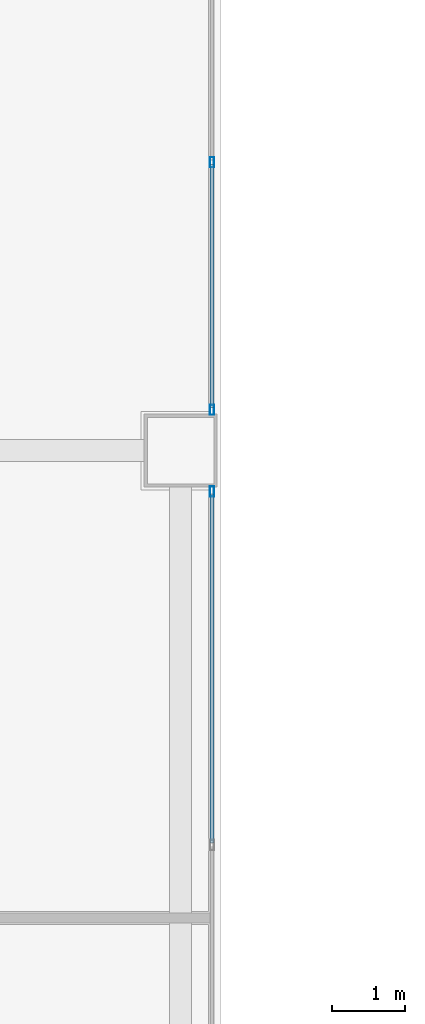
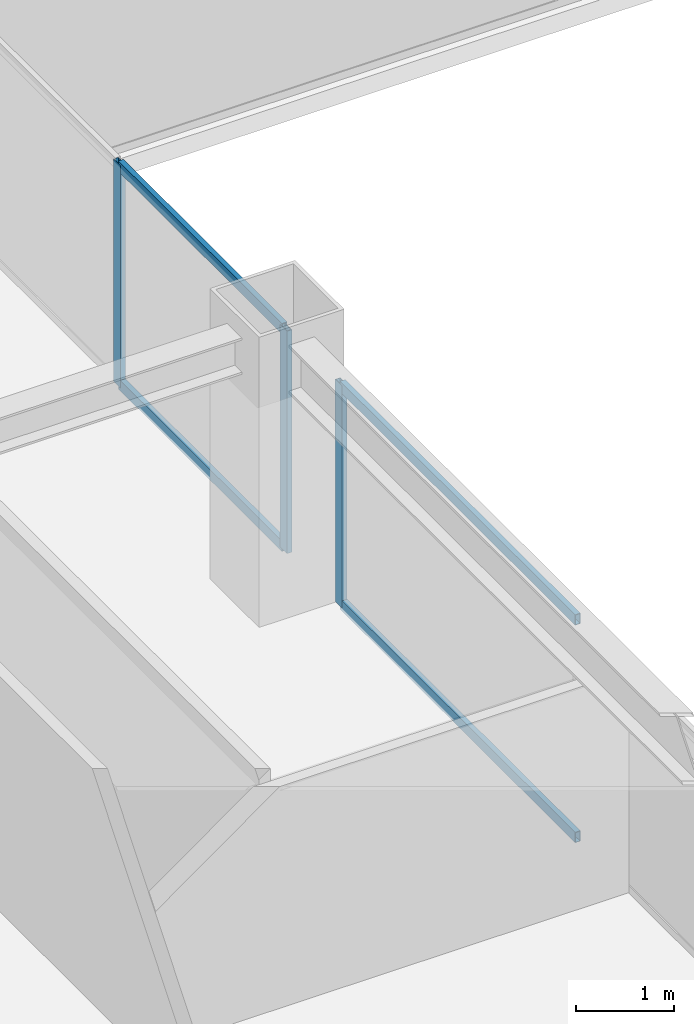
# One storey, part 7 of 30: 7 members, 2 elements without a shape of their own.
"""IFC4 building model written with IfcOpenShell, lengths in metres."""

from ifc_helpers import new_model, si_unit, direction, frame, origin, origin_2d, place, context, subcontext, project, spatial, hollow_rectangle, extrude, source, transform, mapped, material, layer, layer_set, material_profile, profile_set, type_object, element, aggregate, save


model = new_model("IFC4")

# Units and contexts
model_context = context("Model", 3, precision=1e-05, world=origin(), true_north=direction((0.0, 1.0)))
body_context = subcontext(model_context, "Body", "Model", "MODEL_VIEW")
ifc_project = project(units=[si_unit("LENGTHUNIT", "METRE"), si_unit("AREAUNIT", "SQUARE_METRE"), si_unit("VOLUMEUNIT", "CUBIC_METRE"), si_unit("PLANEANGLEUNIT", "RADIAN"), si_unit("MASSUNIT", "GRAM", prefix="KILO")], contexts=[model_context])

# Site, building, storey
site_placement = place(None, origin())
site = spatial("IfcSite", under=ifc_project, at=site_placement, CompositionType="ELEMENT")
building_placement = place(site_placement, origin())
building = spatial("IfcBuilding", under=site, at=building_placement, Name="Sumidabori Civic Tower", CompositionType="ELEMENT")
storey_placement = place(building_placement, frame((0.0, 0.0, 200.0)))
storey = spatial("IfcBuildingStorey", under=building, at=storey_placement, Name="L51", CompositionType="ELEMENT", Elevation=200.0)

# Curtain wall, member
ifc_material = material(Name="Anodised Bronze Aluminium AW-6063-T6", Category="aluminium")
ifc_layer = layer(ifc_material, 0.179931640625, Name="Anodised Bronze Aluminium AW-6063-T6")
ifc_layer_set = layer_set([ifc_layer], Name="Anodised Bronze Aluminium AW-6063-T6")
curtain_wall_type = type_object("IfcCurtainWallType", Name="CW-SYS-4", PredefinedType="NOTDEFINED", material=ifc_layer_set)
curtain_wall_1_placement = place(storey_placement, origin())
curtain_wall_1 = element("IfcCurtainWall", 1, at=curtain_wall_1_placement, inside=storey, type_object=curtain_wall_type, Name="Curtain Wall CW:L51:R03", PredefinedType="NOTDEFINED")
ifc_material_profile_1 = material_profile(ifc_material, hollow_rectangle(XDim=0.06005859375, YDim=0.139892578125, WallThickness=0.0048828125, at=origin_2d()), Name="ALU MULLION 140x60")
ifc_profile_set_1 = profile_set([ifc_material_profile_1], Name="Anodised Bronze Aluminium AW-6063-T6")
member_type_1 = type_object("IfcMemberType", Name="CW-MUL-140", PredefinedType="MULLION", material=ifc_profile_set_1)
shared_shape_1 = source(origin(), body_context, "Body", "SweptSolid", [
    extrude(hollow_rectangle(XDim=0.06005859375, YDim=0.139892578125, WallThickness=0.0048828125, at=origin_2d()), origin(), (0.0, 0.0, 1.0), 2.760009765625),
])
member_1_placement = place(storey_placement, frame((-7.969970703125, -0.56005859375, 0.0), z_axis=(0.0, 0.0, 1.0), x_axis=(-1.0, 0.0, 0.0)))
member_1 = element("IfcMember", 2, at=member_1_placement, type_object=member_type_1, Name="CW-4 mullion 3", PredefinedType="MULLION", context=body_context, shape_type="MappedRepresentation", body=[
    mapped(shared_shape_1, transform((0.0, 0.0, 0.0), x_axis=(1.0, 0.0, 0.0), y_axis=(0.0, 1.0, 0.0), z_axis=(0.0, 0.0, 1.0), scale=1.0)),
])

# Curtain wall, members
curtain_wall_2_placement = place(storey_placement, origin())
curtain_wall_2 = element("IfcCurtainWall", 3, at=curtain_wall_2_placement, inside=storey, type_object=curtain_wall_type, Name="Curtain Wall CW:L51:R04", PredefinedType="NOTDEFINED")
member_2_placement = place(storey_placement, frame((-7.969970703125, 0.56005859375, 0.0), z_axis=(0.0, 0.0, 1.0), x_axis=(-1.0, 0.0, 0.0)))
member_2 = element("IfcMember", 4, at=member_2_placement, type_object=member_type_1, Name="CW-4 mullion 1", PredefinedType="MULLION", context=body_context, shape_type="MappedRepresentation", body=[
    mapped(shared_shape_1, transform((0.0, 0.0, 0.0), x_axis=(1.0, 0.0, 0.0), y_axis=(0.0, 1.0, 0.0), z_axis=(0.0, 0.0, 1.0), scale=1.0)),
])
member_3_placement = place(storey_placement, frame((-7.969970703125, 3.949951171875, 0.0), z_axis=(0.0, 0.0, 1.0), x_axis=(-1.0, 0.0, 0.0)))
member_3 = element("IfcMember", 5, at=member_3_placement, type_object=member_type_1, Name="CW-4 mullion 2", PredefinedType="MULLION", context=body_context, shape_type="MappedRepresentation", body=[
    mapped(shared_shape_1, transform((0.0, 0.0, 0.0), x_axis=(1.0, 0.0, 0.0), y_axis=(0.0, 1.0, 0.0), z_axis=(0.0, 0.0, 1.0), scale=1.0)),
])

# Member
ifc_material_profile_2 = material_profile(ifc_material, hollow_rectangle(XDim=0.06005859375, YDim=0.1298828125, WallThickness=0.0048828125, at=origin_2d()), Name="ALU TRANSOM 130x60")
ifc_profile_set_2 = profile_set([ifc_material_profile_2], Name="Anodised Bronze Aluminium AW-6063-T6")
member_type_2 = type_object("IfcMemberType", Name="CW-TRN-130", PredefinedType="USERDEFINED", material=ifc_profile_set_2)
shared_shape_2 = source(origin(), body_context, "Body", "SweptSolid", [
    extrude(hollow_rectangle(XDim=0.06005859375, YDim=0.1298828125, WallThickness=0.0048828125, at=origin_2d()), origin(), (0.0, 0.0, 1.0), 4.780029296875),
])
member_4_placement = place(storey_placement, frame((-7.969970703125, -5.3701171875, 0.030029296875), z_axis=(0.0, 1.0, 0.0), x_axis=(-1.0, 0.0, 0.0)))
member_4 = element("IfcMember", 6, at=member_4_placement, type_object=member_type_2, Name="CW-4 transom 2.1", ObjectType="TRANSOM", PredefinedType="USERDEFINED", context=body_context, shape_type="MappedRepresentation", body=[
    mapped(shared_shape_2, transform((0.0, 0.0, 0.0), x_axis=(1.0, 0.0, 0.0), y_axis=(0.0, 1.0, 0.0), z_axis=(0.0, 0.0, 1.0), scale=1.0)),
])

member_5_placement = place(storey_placement, frame((-7.969970703125, -5.3701171875, 2.72998046875), z_axis=(0.0, 1.0, 0.0), x_axis=(-1.0, 0.0, 0.0)))
member_5 = element("IfcMember", 7, at=member_5_placement, type_object=member_type_2, Name="CW-4 transom 2.2", ObjectType="TRANSOM", PredefinedType="USERDEFINED", context=body_context, shape_type="MappedRepresentation", body=[
    mapped(shared_shape_2, transform((0.0, 0.0, 0.0), x_axis=(1.0, 0.0, 0.0), y_axis=(0.0, 1.0, 0.0), z_axis=(0.0, 0.0, 1.0), scale=1.0)),
])

aggregate(curtain_wall_1, [member_1, member_4, member_5])

shared_shape_3 = source(origin(), body_context, "Body", "SweptSolid", [
    extrude(hollow_rectangle(XDim=0.06005859375, YDim=0.1298828125, WallThickness=0.0048828125, at=origin_2d()), origin(), (0.0, 0.0, 1.0), 3.329833984375),
])
member_6_placement = place(storey_placement, frame((-7.969970703125, 0.590087890625, 0.030029296875), z_axis=(0.0, 1.0, 0.0), x_axis=(-1.0, 0.0, 0.0)))
member_6 = element("IfcMember", 8, at=member_6_placement, type_object=member_type_2, Name="CW-4 transom 1.1", ObjectType="TRANSOM", PredefinedType="USERDEFINED", context=body_context, shape_type="MappedRepresentation", body=[
    mapped(shared_shape_3, transform((0.0, 0.0, 0.0), x_axis=(1.0, 0.0, 0.0), y_axis=(0.0, 1.0, 0.0), z_axis=(0.0, 0.0, 1.0), scale=1.0)),
])

member_7_placement = place(storey_placement, frame((-7.969970703125, 0.590087890625, 2.72998046875), z_axis=(0.0, 1.0, 0.0), x_axis=(-1.0, 0.0, 0.0)))
member_7 = element("IfcMember", 9, at=member_7_placement, type_object=member_type_2, Name="CW-4 transom 1.2", ObjectType="TRANSOM", PredefinedType="USERDEFINED", context=body_context, shape_type="MappedRepresentation", body=[
    mapped(shared_shape_3, transform((0.0, 0.0, 0.0), x_axis=(1.0, 0.0, 0.0), y_axis=(0.0, 1.0, 0.0), z_axis=(0.0, 0.0, 1.0), scale=1.0)),
])

aggregate(curtain_wall_2, [member_2, member_3, member_6, member_7])

save(model, "model.ifc")
